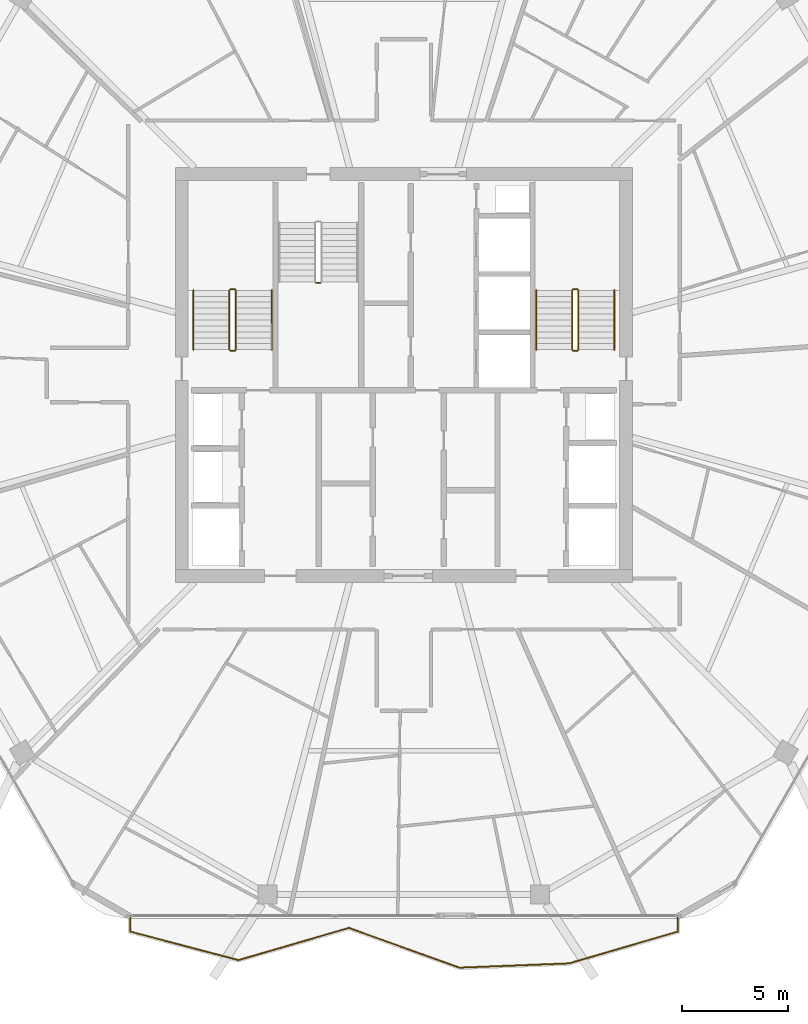
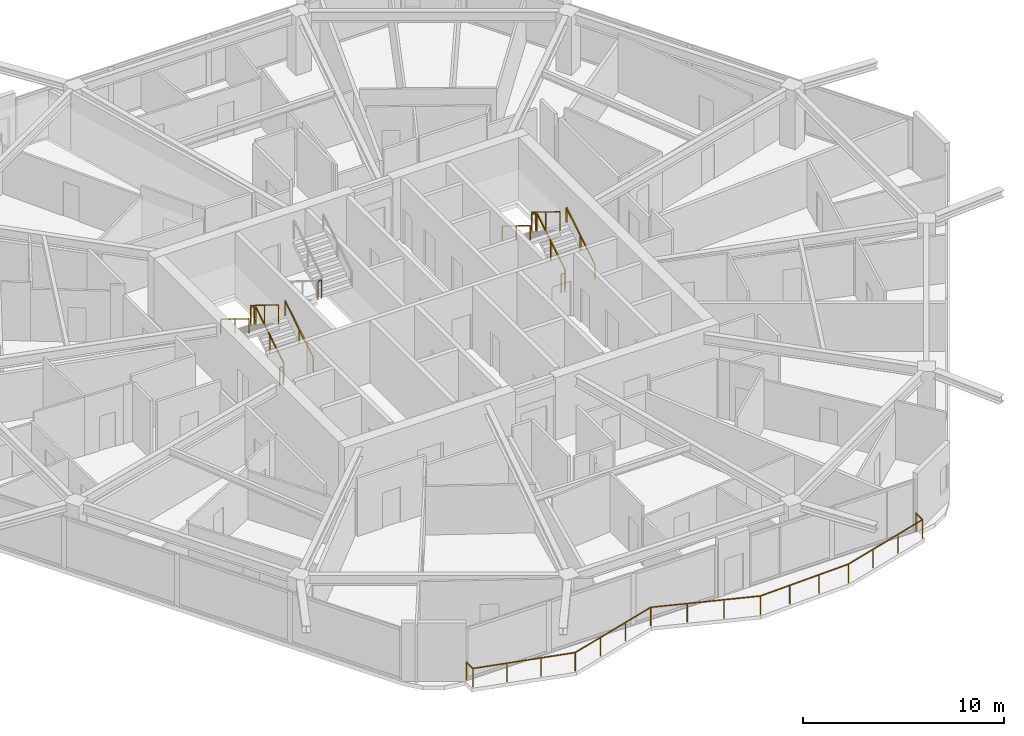
# One storey, part 25 of 26: 14 railings.
"""IFC4 building model written with IfcOpenShell, lengths in metres."""

from ifc_helpers import new_model, si_unit, direction, frame, origin, origin_2d, place, context, subcontext, project, spatial, rectangle, extrude, material, type_object, element, save


model = new_model("IFC4")

# Units and contexts
model_context = context("Model", 3, precision=1e-05, world=origin(), true_north=direction((0.0, 1.0)))
body_context = subcontext(model_context, "Body", "Model", "MODEL_VIEW")
ifc_project = project(units=[si_unit("LENGTHUNIT", "METRE"), si_unit("AREAUNIT", "SQUARE_METRE"), si_unit("VOLUMEUNIT", "CUBIC_METRE"), si_unit("PLANEANGLEUNIT", "RADIAN"), si_unit("MASSUNIT", "GRAM", prefix="KILO")], contexts=[model_context])

# Site, building, storey
site_placement = place(None, origin())
site = spatial("IfcSite", under=ifc_project, at=site_placement, CompositionType="ELEMENT")
building_placement = place(site_placement, origin())
building = spatial("IfcBuilding", under=site, at=building_placement, Name="Zuhravey Tower", CompositionType="ELEMENT")
storey_placement = place(building_placement, frame((0.0, 0.0, 242.60009765625)))
storey = spatial("IfcBuildingStorey", under=building, at=storey_placement, Name="L61", CompositionType="ELEMENT", Elevation=242.60009765625)

# Railings
ifc_material_1 = material(Name="Stainless steel 316 and laminated glass", Category="steel")
railing_type_1 = type_object("IfcRailingType", Name="Balcony & Terrace Guardrail 1150", PredefinedType="BALUSTRADE", material=ifc_material_1)
railing_1_placement = place(storey_placement, frame((48.941650390625, 6.351318359375, 0.0)))
element("IfcRailing", 1, at=railing_1_placement, inside=storey, type_object=railing_type_1, Name="L61 Face 5 Wave Balcony Guardrail GR1", PredefinedType="BALUSTRADE", context=body_context, shape_type="SweptSolid", body=[
    extrude(rectangle(XDim=0.048095703125, YDim=0.048095703125, at=origin_2d()), frame((0.0, -0.001953125, 1.1259765625), z_axis=(0.0, -1.0, 0.0), x_axis=(1.0, 0.0, 0.0)), (0.0, 0.0, 1.0), 0.6611328125),
    extrude(rectangle(XDim=0.048095703125, YDim=0.048095703125, at=origin_2d()), frame((-0.001953125, -0.66552734375, 1.1259765625), z_axis=(-0.959683966363, -0.281081277758, 0.0), x_axis=(0.281081277758, -0.959683966363, 0.0)), (0.0, 0.0, 1.0), 5.3447265625),
    extrude(rectangle(XDim=0.048095703125, YDim=0.048095703125, at=origin_2d()), frame((-5.135009765625, -2.16845703125, 1.1259765625), z_axis=(-0.999235306599, -0.039099898281, 0.0), x_axis=(0.039099898281, -0.999235306599, 0.0)), (0.0, 0.0, 1.0), 5.184814453125),
    extrude(rectangle(XDim=0.048095703125, YDim=0.048095703125, at=origin_2d()), frame((-10.31982421875, -2.37060546875, 1.1259765625), z_axis=(-0.941043028519, 0.338286887826, 0.0), x_axis=(-0.338286887826, -0.941043028519, 0.0)), (0.0, 0.0, 1.0), 5.55224609375),
    extrude(rectangle(XDim=0.048095703125, YDim=0.048095703125, at=origin_2d()), frame((-15.548583984375, -0.4921875, 1.1259765625), z_axis=(-0.960058802449, -0.279798312791, 0.0), x_axis=(0.279798312791, -0.960058802449, 0.0)), (0.0, 0.0, 1.0), 5.4345703125),
    extrude(rectangle(XDim=0.048095703125, YDim=0.048095703125, at=origin_2d()), frame((-20.77001953125, -2.012939453125, 1.1259765625), z_axis=(-0.966866195284, 0.255283686155, 0.0), x_axis=(-0.255283686155, -0.966866195284, 0.0)), (0.0, 0.0, 1.0), 5.28662109375),
    extrude(rectangle(XDim=0.048095703125, YDim=0.048095703125, at=origin_2d()), frame((-25.88330078125, -0.660888671875, 1.1259765625), z_axis=(0.0, 1.0, 0.0), x_axis=(-1.0, 0.0, 0.0)), (0.0, 0.0, 1.0), 0.658935546875),
    extrude(rectangle(XDim=0.0419921875, YDim=0.0419921875, at=origin_2d()), origin(), (0.0, 0.0, 1.0), 1.099853515625),
    extrude(rectangle(XDim=0.0419921875, YDim=0.0419921875, at=origin_2d()), frame((0.0, -0.6650390625, 0.0)), (0.0, 0.0, 1.0), 1.099853515625),
    extrude(rectangle(XDim=0.0419921875, YDim=0.0419921875, at=origin_2d()), frame((-1.7109375, -1.166259765625, 0.0)), (0.0, 0.0, 1.0), 1.099853515625),
    extrude(rectangle(XDim=0.0419921875, YDim=0.0419921875, at=origin_2d()), frame((-3.422119140625, -1.667236328125, 0.0)), (0.0, 0.0, 1.0), 1.099853515625),
    extrude(rectangle(XDim=0.0419921875, YDim=0.0419921875, at=origin_2d()), frame((-5.133056640625, -2.16845703125, 0.0)), (0.0, 0.0, 1.0), 1.099853515625),
    extrude(rectangle(XDim=0.0419921875, YDim=0.0419921875, at=origin_2d()), frame((-6.861328125, -2.236083984375, 0.0)), (0.0, 0.0, 1.0), 1.099853515625),
    extrude(rectangle(XDim=0.0419921875, YDim=0.0419921875, at=origin_2d()), frame((-8.589599609375, -2.3037109375, 0.0)), (0.0, 0.0, 1.0), 1.099853515625),
    extrude(rectangle(XDim=0.0419921875, YDim=0.0419921875, at=origin_2d()), frame((-10.31787109375, -2.371337890625, 0.0)), (0.0, 0.0, 1.0), 1.099853515625),
    extrude(rectangle(XDim=0.0419921875, YDim=0.0419921875, at=origin_2d()), frame((-12.060791015625, -1.744873046875, 0.0)), (0.0, 0.0, 1.0), 1.099853515625),
    extrude(rectangle(XDim=0.0419921875, YDim=0.0419921875, at=origin_2d()), frame((-13.8037109375, -1.1181640625, 0.0)), (0.0, 0.0, 1.0), 1.099853515625),
    extrude(rectangle(XDim=0.0419921875, YDim=0.0419921875, at=origin_2d()), frame((-15.546630859375, -0.49169921875, 0.0)), (0.0, 0.0, 1.0), 1.099853515625),
    extrude(rectangle(XDim=0.0419921875, YDim=0.0419921875, at=origin_2d()), frame((-17.287109375, -0.9990234375, 0.0)), (0.0, 0.0, 1.0), 1.099853515625),
    extrude(rectangle(XDim=0.0419921875, YDim=0.0419921875, at=origin_2d()), frame((-19.027587890625, -1.506103515625, 0.0)), (0.0, 0.0, 1.0), 1.099853515625),
    extrude(rectangle(XDim=0.0419921875, YDim=0.0419921875, at=origin_2d()), frame((-20.76806640625, -2.013427734375, 0.0)), (0.0, 0.0, 1.0), 1.099853515625),
    extrude(rectangle(XDim=0.0419921875, YDim=0.0419921875, at=origin_2d()), frame((-22.47314453125, -1.563232421875, 0.0)), (0.0, 0.0, 1.0), 1.099853515625),
    extrude(rectangle(XDim=0.0419921875, YDim=0.0419921875, at=origin_2d()), frame((-24.17822265625, -1.113037109375, 0.0)), (0.0, 0.0, 1.0), 1.099853515625),
    extrude(rectangle(XDim=0.0419921875, YDim=0.0419921875, at=origin_2d()), frame((-25.88330078125, -0.662841796875, 0.0)), (0.0, 0.0, 1.0), 1.099853515625),
    extrude(rectangle(XDim=0.0419921875, YDim=0.0419921875, at=origin_2d()), frame((-25.88330078125, 0.0, 0.0)), (0.0, 0.0, 1.0), 1.099853515625),
])
ifc_material_2 = material(Name="Brushed stainless steel", Category="steel")
railing_type_2 = type_object("IfcRailingType", Name="Stair Wall Handrail 900", PredefinedType="HANDRAIL", material=ifc_material_2)
railing_2_placement = place(storey_placement, frame((29.75, 33.199951171875, 0.172607421875)))
element("IfcRailing", 2, at=railing_2_placement, inside=storey, type_object=railing_type_2, Name="L61 ST1 stair handrail 1", PredefinedType="HANDRAIL", context=body_context, shape_type="SweptSolid", body=[
    extrude(rectangle(XDim=0.048095703125, YDim=0.048095703125, at=origin_2d()), frame((0.0, 0.001708984375, 0.876953125), z_axis=(0.0, 0.851089632645, 0.525020415988), x_axis=(-1.0, 0.0, 0.0)), (0.0, 0.0, 1.0), 3.285888671875),
    extrude(rectangle(XDim=0.0419921875, YDim=0.0419921875, at=origin_2d()), origin(), (0.0, 0.0, 1.0), 0.849853515625),
    extrude(rectangle(XDim=0.0419921875, YDim=0.0419921875, at=origin_2d()), frame((0.0, 1.39990234375, 0.86376953125)), (0.0, 0.0, 1.0), 0.849853515625),
    extrude(rectangle(XDim=0.0419921875, YDim=0.0419921875, at=origin_2d()), frame((0.0, 2.800048828125, 1.727294921875)), (0.0, 0.0, 1.0), 0.849853515625),
])
railing_3_placement = place(storey_placement, frame((26.050048828125, 36.0, 2.072509765625)))
element("IfcRailing", 3, at=railing_3_placement, inside=storey, type_object=railing_type_2, Name="L61 ST1 stair handrail 2", PredefinedType="HANDRAIL", context=body_context, shape_type="SweptSolid", body=[
    extrude(rectangle(XDim=0.048095703125, YDim=0.048095703125, at=origin_2d()), frame((0.0, -0.001708984375, 0.876953125), z_axis=(0.0, -0.851089632645, 0.525020415988), x_axis=(1.0, 0.0, 0.0)), (0.0, 0.0, 1.0), 3.285888671875),
    extrude(rectangle(XDim=0.0419921875, YDim=0.0419921875, at=origin_2d()), origin(), (0.0, 0.0, 1.0), 0.849853515625),
    extrude(rectangle(XDim=0.0419921875, YDim=0.0419921875, at=origin_2d()), frame((0.0, -1.39990234375, 0.86376953125)), (0.0, 0.0, 1.0), 0.849853515625),
    extrude(rectangle(XDim=0.0419921875, YDim=0.0419921875, at=origin_2d()), frame((0.0, -2.800048828125, 1.727294921875)), (0.0, 0.0, 1.0), 0.849853515625),
])
railing_4_placement = place(storey_placement, frame((45.949951171875, 33.199951171875, 0.172607421875)))
element("IfcRailing", 4, at=railing_4_placement, inside=storey, type_object=railing_type_2, Name="L61 ST2 stair handrail 1", PredefinedType="HANDRAIL", context=body_context, shape_type="SweptSolid", body=[
    extrude(rectangle(XDim=0.048095703125, YDim=0.048095703125, at=origin_2d()), frame((0.0, 0.001708984375, 0.876953125), z_axis=(0.0, 0.851089632645, 0.525020415988), x_axis=(-1.0, 0.0, 0.0)), (0.0, 0.0, 1.0), 3.285888671875),
    extrude(rectangle(XDim=0.0419921875, YDim=0.0419921875, at=origin_2d()), origin(), (0.0, 0.0, 1.0), 0.849853515625),
    extrude(rectangle(XDim=0.0419921875, YDim=0.0419921875, at=origin_2d()), frame((0.0, 1.39990234375, 0.86376953125)), (0.0, 0.0, 1.0), 0.849853515625),
    extrude(rectangle(XDim=0.0419921875, YDim=0.0419921875, at=origin_2d()), frame((0.0, 2.800048828125, 1.727294921875)), (0.0, 0.0, 1.0), 0.849853515625),
])
railing_5_placement = place(storey_placement, frame((42.25, 36.0, 2.072509765625)))
element("IfcRailing", 5, at=railing_5_placement, inside=storey, type_object=railing_type_2, Name="L61 ST2 stair handrail 2", PredefinedType="HANDRAIL", context=body_context, shape_type="SweptSolid", body=[
    extrude(rectangle(XDim=0.048095703125, YDim=0.048095703125, at=origin_2d()), frame((0.0, -0.001708984375, 0.876953125), z_axis=(0.0, -0.851089632645, 0.525020415988), x_axis=(1.0, 0.0, 0.0)), (0.0, 0.0, 1.0), 3.285888671875),
    extrude(rectangle(XDim=0.0419921875, YDim=0.0419921875, at=origin_2d()), origin(), (0.0, 0.0, 1.0), 0.849853515625),
    extrude(rectangle(XDim=0.0419921875, YDim=0.0419921875, at=origin_2d()), frame((0.0, -1.39990234375, 0.86376953125)), (0.0, 0.0, 1.0), 0.849853515625),
    extrude(rectangle(XDim=0.0419921875, YDim=0.0419921875, at=origin_2d()), frame((0.0, -2.800048828125, 1.727294921875)), (0.0, 0.0, 1.0), 0.849853515625),
])
ifc_material_3 = material(Name="Painted tubular steel", Category="steel")
railing_type_3 = type_object("IfcRailingType", Name="Stair Well Guardrail 1150", PredefinedType="GUARDRAIL", material=ifc_material_3)
railing_6_placement = place(storey_placement, frame((28.050048828125, 33.199951171875, 0.172607421875)))
element("IfcRailing", 6, at=railing_6_placement, inside=storey, type_object=railing_type_3, Name="L61 ST1 stair guard 1", PredefinedType="GUARDRAIL", context=body_context, shape_type="SweptSolid", body=[
    extrude(rectangle(XDim=0.048095703125, YDim=0.048095703125, at=origin_2d()), frame((0.0, 0.001708984375, 1.126953125), z_axis=(0.0, 0.851089632645, 0.525020415988), x_axis=(-1.0, 0.0, 0.0)), (0.0, 0.0, 1.0), 3.285888671875),
    extrude(rectangle(XDim=0.0419921875, YDim=0.0419921875, at=origin_2d()), origin(), (0.0, 0.0, 1.0), 1.099853515625),
    extrude(rectangle(XDim=0.0419921875, YDim=0.0419921875, at=origin_2d()), frame((0.0, 1.39990234375, 0.86376953125)), (0.0, 0.0, 1.0), 1.099853515625),
    extrude(rectangle(XDim=0.0419921875, YDim=0.0419921875, at=origin_2d()), frame((0.0, 2.800048828125, 1.727294921875)), (0.0, 0.0, 1.0), 1.099853515625),
])
railing_7_placement = place(storey_placement, frame((28.0, 36.050048828125, 1.89990234375)))
element("IfcRailing", 7, at=railing_7_placement, inside=storey, type_object=railing_type_3, Name="L61 ST1 stair guard 2", PredefinedType="GUARDRAIL", context=body_context, shape_type="SweptSolid", body=[
    extrude(rectangle(XDim=0.048095703125, YDim=0.048095703125, at=origin_2d()), frame((-0.001953125, 0.0, 1.1259765625), z_axis=(-1.0, 0.0, 0.0), x_axis=(0.0, -1.0, 0.0)), (0.0, 0.0, 1.0), 0.196044921875),
    extrude(rectangle(XDim=0.0419921875, YDim=0.0419921875, at=origin_2d()), origin(), (0.0, 0.0, 1.0), 1.099853515625),
    extrude(rectangle(XDim=0.0419921875, YDim=0.0419921875, at=origin_2d()), frame((-0.199951171875, 0.0, 0.0)), (0.0, 0.0, 1.0), 1.099853515625),
])
railing_8_placement = place(storey_placement, frame((27.75, 36.0, 2.072509765625)))
element("IfcRailing", 8, at=railing_8_placement, inside=storey, type_object=railing_type_3, Name="L61 ST1 stair guard 3", PredefinedType="GUARDRAIL", context=body_context, shape_type="SweptSolid", body=[
    extrude(rectangle(XDim=0.048095703125, YDim=0.048095703125, at=origin_2d()), frame((0.0, -0.001708984375, 1.126953125), z_axis=(0.0, -0.851089632645, 0.525020415988), x_axis=(1.0, 0.0, 0.0)), (0.0, 0.0, 1.0), 3.285888671875),
    extrude(rectangle(XDim=0.0419921875, YDim=0.0419921875, at=origin_2d()), origin(), (0.0, 0.0, 1.0), 1.099853515625),
    extrude(rectangle(XDim=0.0419921875, YDim=0.0419921875, at=origin_2d()), frame((0.0, -1.39990234375, 0.86376953125)), (0.0, 0.0, 1.0), 1.099853515625),
    extrude(rectangle(XDim=0.0419921875, YDim=0.0419921875, at=origin_2d()), frame((0.0, -2.800048828125, 1.727294921875)), (0.0, 0.0, 1.0), 1.099853515625),
])
railing_9_placement = place(storey_placement, frame((28.0, 33.14990234375, 0.0)))
element("IfcRailing", 9, at=railing_9_placement, inside=storey, type_object=railing_type_3, Name="L61 ST1 stair guard 4", PredefinedType="GUARDRAIL", context=body_context, shape_type="SweptSolid", body=[
    extrude(rectangle(XDim=0.048095703125, YDim=0.048095703125, at=origin_2d()), frame((-0.001953125, 0.0, 1.1259765625), z_axis=(-1.0, 0.0, 0.0), x_axis=(0.0, -1.0, 0.0)), (0.0, 0.0, 1.0), 0.196044921875),
    extrude(rectangle(XDim=0.0419921875, YDim=0.0419921875, at=origin_2d()), origin(), (0.0, 0.0, 1.0), 1.099853515625),
    extrude(rectangle(XDim=0.0419921875, YDim=0.0419921875, at=origin_2d()), frame((-0.199951171875, 0.0, 0.0)), (0.0, 0.0, 1.0), 1.099853515625),
])
railing_10_placement = place(storey_placement, frame((44.25, 33.199951171875, 0.172607421875)))
element("IfcRailing", 10, at=railing_10_placement, inside=storey, type_object=railing_type_3, Name="L61 ST2 stair guard 1", PredefinedType="GUARDRAIL", context=body_context, shape_type="SweptSolid", body=[
    extrude(rectangle(XDim=0.048095703125, YDim=0.048095703125, at=origin_2d()), frame((0.0, 0.001708984375, 1.126953125), z_axis=(0.0, 0.851089632645, 0.525020415988), x_axis=(-1.0, 0.0, 0.0)), (0.0, 0.0, 1.0), 3.285888671875),
    extrude(rectangle(XDim=0.0419921875, YDim=0.0419921875, at=origin_2d()), origin(), (0.0, 0.0, 1.0), 1.099853515625),
    extrude(rectangle(XDim=0.0419921875, YDim=0.0419921875, at=origin_2d()), frame((0.0, 1.39990234375, 0.86376953125)), (0.0, 0.0, 1.0), 1.099853515625),
    extrude(rectangle(XDim=0.0419921875, YDim=0.0419921875, at=origin_2d()), frame((0.0, 2.800048828125, 1.727294921875)), (0.0, 0.0, 1.0), 1.099853515625),
])
railing_11_placement = place(storey_placement, frame((44.199951171875, 36.050048828125, 1.89990234375)))
element("IfcRailing", 11, at=railing_11_placement, inside=storey, type_object=railing_type_3, Name="L61 ST2 stair guard 2", PredefinedType="GUARDRAIL", context=body_context, shape_type="SweptSolid", body=[
    extrude(rectangle(XDim=0.048095703125, YDim=0.048095703125, at=origin_2d()), frame((-0.001953125, 0.0, 1.1259765625), z_axis=(-1.0, 0.0, 0.0), x_axis=(0.0, -1.0, 0.0)), (0.0, 0.0, 1.0), 0.196044921875),
    extrude(rectangle(XDim=0.0419921875, YDim=0.0419921875, at=origin_2d()), origin(), (0.0, 0.0, 1.0), 1.099853515625),
    extrude(rectangle(XDim=0.0419921875, YDim=0.0419921875, at=origin_2d()), frame((-0.199951171875, 0.0, 0.0)), (0.0, 0.0, 1.0), 1.099853515625),
])
railing_12_placement = place(storey_placement, frame((43.949951171875, 36.0, 2.072509765625)))
element("IfcRailing", 12, at=railing_12_placement, inside=storey, type_object=railing_type_3, Name="L61 ST2 stair guard 3", PredefinedType="GUARDRAIL", context=body_context, shape_type="SweptSolid", body=[
    extrude(rectangle(XDim=0.048095703125, YDim=0.048095703125, at=origin_2d()), frame((0.0, -0.001708984375, 1.126953125), z_axis=(0.0, -0.851089632645, 0.525020415988), x_axis=(1.0, 0.0, 0.0)), (0.0, 0.0, 1.0), 3.285888671875),
    extrude(rectangle(XDim=0.0419921875, YDim=0.0419921875, at=origin_2d()), origin(), (0.0, 0.0, 1.0), 1.099853515625),
    extrude(rectangle(XDim=0.0419921875, YDim=0.0419921875, at=origin_2d()), frame((0.0, -1.39990234375, 0.86376953125)), (0.0, 0.0, 1.0), 1.099853515625),
    extrude(rectangle(XDim=0.0419921875, YDim=0.0419921875, at=origin_2d()), frame((0.0, -2.800048828125, 1.727294921875)), (0.0, 0.0, 1.0), 1.099853515625),
])
railing_13_placement = place(storey_placement, frame((44.199951171875, 33.14990234375, 0.0)))
element("IfcRailing", 13, at=railing_13_placement, inside=storey, type_object=railing_type_3, Name="L61 ST2 stair guard 4", PredefinedType="GUARDRAIL", context=body_context, shape_type="SweptSolid", body=[
    extrude(rectangle(XDim=0.048095703125, YDim=0.048095703125, at=origin_2d()), frame((-0.001953125, 0.0, 1.1259765625), z_axis=(-1.0, 0.0, 0.0), x_axis=(0.0, -1.0, 0.0)), (0.0, 0.0, 1.0), 0.196044921875),
    extrude(rectangle(XDim=0.0419921875, YDim=0.0419921875, at=origin_2d()), origin(), (0.0, 0.0, 1.0), 1.099853515625),
    extrude(rectangle(XDim=0.0419921875, YDim=0.0419921875, at=origin_2d()), frame((-0.199951171875, 0.0, 0.0)), (0.0, 0.0, 1.0), 1.099853515625),
])
railing_14_placement = place(storey_placement, frame((31.85009765625, 36.35009765625, 1.89990234375)))
element("IfcRailing", 14, at=railing_14_placement, inside=storey, type_object=railing_type_3, Name="L61 ST3 stair guard 2", PredefinedType="GUARDRAIL", context=body_context, shape_type="SweptSolid", body=[
    extrude(rectangle(XDim=0.048095703125, YDim=0.048095703125, at=origin_2d()), frame((0.001953125, 0.0, 1.1259765625), z_axis=(1.0, 0.0, 0.0), x_axis=(0.0, 1.0, 0.0)), (0.0, 0.0, 1.0), 0.196044921875),
    extrude(rectangle(XDim=0.0419921875, YDim=0.0419921875, at=origin_2d()), origin(), (0.0, 0.0, 1.0), 1.099853515625),
    extrude(rectangle(XDim=0.0419921875, YDim=0.0419921875, at=origin_2d()), frame((0.199951171875, 0.0, 0.0)), (0.0, 0.0, 1.0), 1.099853515625),
])

save(model, "model.ifc")
